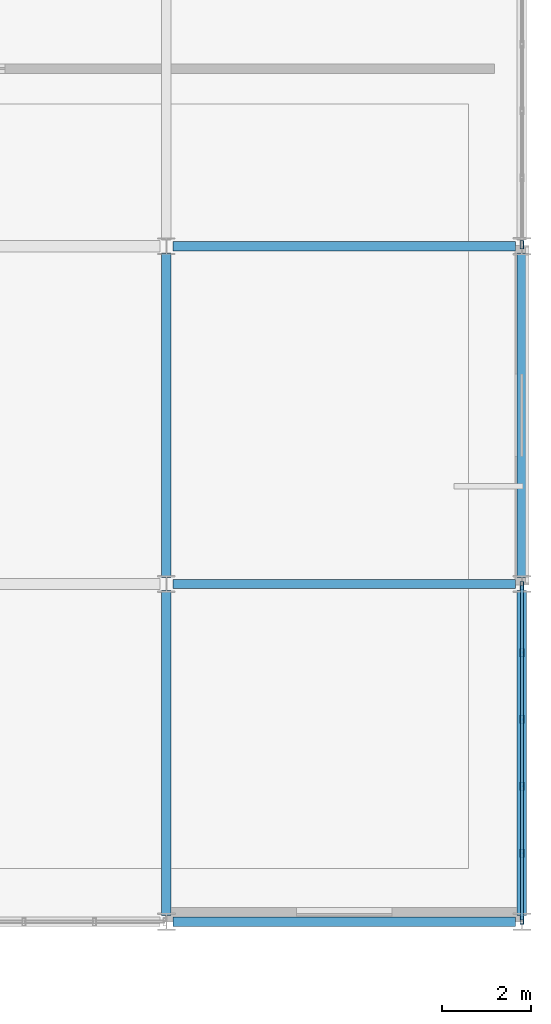
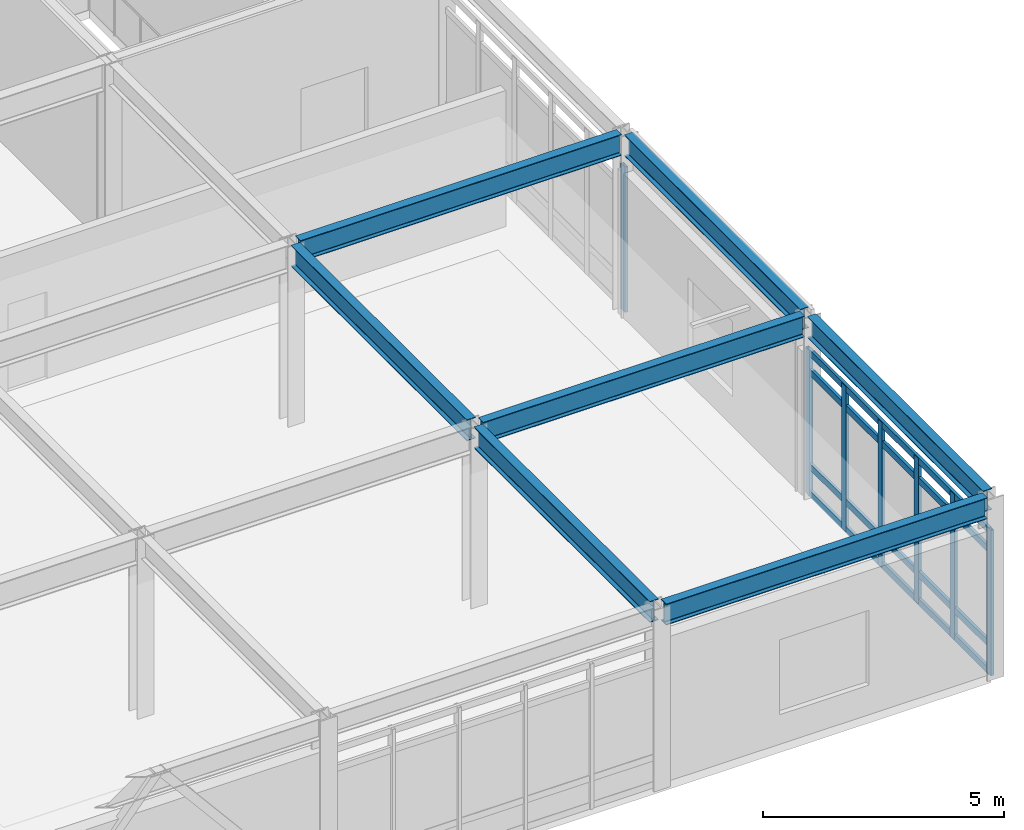
# One storey, part 66 of 104: 11 members, 7 beams, 2 elements without a shape of their own.
"""IFC4 building model written with IfcOpenShell, lengths in metres."""

from ifc_helpers import new_model, si_unit, direction, frame, origin, origin_2d, place, context, subcontext, project, spatial, hollow_rectangle, i_section, extrude, material, material_profile, profile_set, type_object, element, aggregate, save


model = new_model("IFC4")

# Units and contexts
model_context = context("Model", 3, precision=1e-05, world=origin(), true_north=direction((0.0, 1.0)))
body_context = subcontext(model_context, "Body", "Model", "MODEL_VIEW")
ifc_project = project(units=[si_unit("LENGTHUNIT", "METRE"), si_unit("AREAUNIT", "SQUARE_METRE"), si_unit("VOLUMEUNIT", "CUBIC_METRE"), si_unit("PLANEANGLEUNIT", "RADIAN"), si_unit("MASSUNIT", "GRAM", prefix="KILO")], contexts=[model_context])

# Site, building, storey
site_placement = place(None, origin())
site = spatial("IfcSite", under=ifc_project, at=site_placement, CompositionType="ELEMENT")
building_placement = place(site_placement, origin())
building = spatial("IfcBuilding", under=site, at=building_placement, Name="Zulena Civic Courthouse", CompositionType="ELEMENT")
storey_placement = place(building_placement, frame((0.0, 0.0, 15.60009765625)))
storey = spatial("IfcBuildingStorey", under=building, at=storey_placement, Name="L03", CompositionType="ELEMENT", Elevation=15.60009765625)

# Curtain wall, member
ifc_material_1 = material(Name="Double-silver low-E laminated solar-control glass", Category="glass")
curtain_wall_type = type_object("IfcCurtainWallType", Name="CW_7528x3690", PredefinedType="USERDEFINED", material=ifc_material_1)
curtain_wall_1_placement = place(storey_placement, origin())
curtain_wall_1 = element("IfcCurtainWall", 1, at=curtain_wall_1_placement, inside=storey, type_object=curtain_wall_type, Name="cw:V1:L03:2:1", ObjectType="UNITISED CURTAIN WALL", PredefinedType="USERDEFINED")
ifc_material_2 = material(Name="Bronze anodised thermally broken aluminium AA6063-T6", Category="aluminium")
ifc_material_profile_1 = material_profile(ifc_material_2, hollow_rectangle(XDim=0.074951171875, YDim=0.179931640625, WallThickness=0.0048828125, at=origin_2d()), Name="CWM180X75X5")
ifc_profile_set_1 = profile_set([ifc_material_profile_1], Name="Bronze anodised thermally broken aluminium AA6063-T6")
member_type_1 = type_object("IfcMemberType", Name="CWMullion_180x75", PredefinedType="MULLION", material=ifc_profile_set_1)
member_1_placement = place(storey_placement, frame((172.0, 15.236083984375, 0.0), z_axis=(0.0, 0.0, 1.0), x_axis=(1.0, 0.0, 0.0)))
member_1 = element("IfcMember", 2, at=member_1_placement, type_object=member_type_1, Name="cw:V1:L03:2:1:mull:5", PredefinedType="MULLION", context=body_context, shape_type="SweptSolid", body=[
    extrude(hollow_rectangle(XDim=0.074951171875, YDim=0.179931640625, WallThickness=0.0048828125, at=origin_2d()), origin(), (0.0, 0.0, 1.0), 3.68994140625),
])
aggregate(curtain_wall_1, [member_1])

# Curtain wall, members
curtain_wall_2_placement = place(storey_placement, origin())
curtain_wall_2 = element("IfcCurtainWall", 3, at=curtain_wall_2_placement, inside=storey, type_object=curtain_wall_type, Name="cw:V1:L03:2:3", ObjectType="UNITISED CURTAIN WALL", PredefinedType="USERDEFINED")
member_2_placement = place(storey_placement, frame((172.0, 7.56396484375, 0.0), z_axis=(0.0, 0.0, 1.0), x_axis=(1.0, 0.0, 0.0)))
member_2 = element("IfcMember", 4, at=member_2_placement, type_object=member_type_1, Name="cw:V1:L03:2:3:mull:0", PredefinedType="MULLION", context=body_context, shape_type="SweptSolid", body=[
    extrude(hollow_rectangle(XDim=0.074951171875, YDim=0.179931640625, WallThickness=0.0048828125, at=origin_2d()), origin(), (0.0, 0.0, 1.0), 3.68994140625),
])
member_3_placement = place(storey_placement, frame((172.0, 6.058349609375, 0.0), z_axis=(0.0, 0.0, 1.0), x_axis=(1.0, 0.0, 0.0)))
member_3 = element("IfcMember", 5, at=member_3_placement, type_object=member_type_1, Name="cw:V1:L03:2:3:mull:1", PredefinedType="MULLION", context=body_context, shape_type="SweptSolid", body=[
    extrude(hollow_rectangle(XDim=0.074951171875, YDim=0.179931640625, WallThickness=0.0048828125, at=origin_2d()), origin(), (0.0, 0.0, 1.0), 3.68994140625),
])
member_4_placement = place(storey_placement, frame((172.0, 4.552734375, 0.0), z_axis=(0.0, 0.0, 1.0), x_axis=(1.0, 0.0, 0.0)))
member_4 = element("IfcMember", 6, at=member_4_placement, type_object=member_type_1, Name="cw:V1:L03:2:3:mull:2", PredefinedType="MULLION", context=body_context, shape_type="SweptSolid", body=[
    extrude(hollow_rectangle(XDim=0.074951171875, YDim=0.179931640625, WallThickness=0.0048828125, at=origin_2d()), origin(), (0.0, 0.0, 1.0), 3.68994140625),
])
member_5_placement = place(storey_placement, frame((172.0, 3.047119140625, 0.0), z_axis=(0.0, 0.0, 1.0), x_axis=(1.0, 0.0, 0.0)))
member_5 = element("IfcMember", 7, at=member_5_placement, type_object=member_type_1, Name="cw:V1:L03:2:3:mull:3", PredefinedType="MULLION", context=body_context, shape_type="SweptSolid", body=[
    extrude(hollow_rectangle(XDim=0.074951171875, YDim=0.179931640625, WallThickness=0.0048828125, at=origin_2d()), origin(), (0.0, 0.0, 1.0), 3.68994140625),
])
member_6_placement = place(storey_placement, frame((172.0, 1.54150390625, 0.0), z_axis=(0.0, 0.0, 1.0), x_axis=(1.0, 0.0, 0.0)))
member_6 = element("IfcMember", 8, at=member_6_placement, type_object=member_type_1, Name="cw:V1:L03:2:3:mull:4", PredefinedType="MULLION", context=body_context, shape_type="SweptSolid", body=[
    extrude(hollow_rectangle(XDim=0.074951171875, YDim=0.179931640625, WallThickness=0.0048828125, at=origin_2d()), origin(), (0.0, 0.0, 1.0), 3.68994140625),
])
member_7_placement = place(storey_placement, frame((172.0, 0.035888671875, 0.0), z_axis=(0.0, 0.0, 1.0), x_axis=(1.0, 0.0, 0.0)))
member_7 = element("IfcMember", 9, at=member_7_placement, type_object=member_type_1, Name="cw:V1:L03:2:3:mull:5", PredefinedType="MULLION", context=body_context, shape_type="SweptSolid", body=[
    extrude(hollow_rectangle(XDim=0.074951171875, YDim=0.179931640625, WallThickness=0.0048828125, at=origin_2d()), origin(), (0.0, 0.0, 1.0), 3.68994140625),
])
ifc_material_profile_2 = material_profile(ifc_material_2, hollow_rectangle(XDim=0.070068359375, YDim=0.1650390625, WallThickness=0.00390625, at=origin_2d()), Name="CWT165X70X4")
ifc_profile_set_2 = profile_set([ifc_material_profile_2], Name="Bronze anodised thermally broken aluminium AA6063-T6")
member_type_2 = type_object("IfcMemberType", Name="CWTransom_165x70", PredefinedType="USERDEFINED", material=ifc_profile_set_2)
member_8_placement = place(storey_placement, frame((172.0, 7.56396484375, 0.059814453125), z_axis=(0.0, -1.0, 0.0), x_axis=(1.0, 0.0, 0.0)))
member_8 = element("IfcMember", 10, at=member_8_placement, type_object=member_type_2, Name="cw:V1:L03:2:3:tran:0", ObjectType="TRANSOM", PredefinedType="USERDEFINED", context=body_context, shape_type="SweptSolid", body=[
    extrude(hollow_rectangle(XDim=0.070068359375, YDim=0.1650390625, WallThickness=0.00390625, at=origin_2d()), origin(), (0.0, 0.0, 1.0), 7.528076171875),
])
member_9_placement = place(storey_placement, frame((172.0, 7.56396484375, 0.75), z_axis=(0.0, -1.0, 0.0), x_axis=(1.0, 0.0, 0.0)))
member_9 = element("IfcMember", 11, at=member_9_placement, type_object=member_type_2, Name="cw:V1:L03:2:3:tran:1", ObjectType="TRANSOM", PredefinedType="USERDEFINED", context=body_context, shape_type="SweptSolid", body=[
    extrude(hollow_rectangle(XDim=0.070068359375, YDim=0.1650390625, WallThickness=0.00390625, at=origin_2d()), origin(), (0.0, 0.0, 1.0), 7.528076171875),
])
member_10_placement = place(storey_placement, frame((172.0, 7.56396484375, 3.139892578125), z_axis=(0.0, -1.0, 0.0), x_axis=(1.0, 0.0, 0.0)))
member_10 = element("IfcMember", 12, at=member_10_placement, type_object=member_type_2, Name="cw:V1:L03:2:3:tran:2", ObjectType="TRANSOM", PredefinedType="USERDEFINED", context=body_context, shape_type="SweptSolid", body=[
    extrude(hollow_rectangle(XDim=0.070068359375, YDim=0.1650390625, WallThickness=0.00390625, at=origin_2d()), origin(), (0.0, 0.0, 1.0), 7.528076171875),
])
member_11_placement = place(storey_placement, frame((172.0, 7.56396484375, 3.6298828125), z_axis=(0.0, -1.0, 0.0), x_axis=(1.0, 0.0, 0.0)))
member_11 = element("IfcMember", 13, at=member_11_placement, type_object=member_type_2, Name="cw:V1:L03:2:3:tran:3", ObjectType="TRANSOM", PredefinedType="USERDEFINED", context=body_context, shape_type="SweptSolid", body=[
    extrude(hollow_rectangle(XDim=0.070068359375, YDim=0.1650390625, WallThickness=0.00390625, at=origin_2d()), origin(), (0.0, 0.0, 1.0), 7.528076171875),
])
aggregate(curtain_wall_2, [member_2, member_3, member_4, member_5, member_6, member_7, member_8, member_9, member_10, member_11])

# Beams
ifc_material_3 = material(Name="Steel ASTM A992 Grade 50", Category="steel")
ifc_material_profile_3 = material_profile(ifc_material_3, i_section(OverallWidth=0.2099609375, OverallDepth=0.537109375, WebThickness=0.010986328125, FlangeThickness=0.017333984375, FilletRadius=0.0126953125, at=origin_2d()), Name="W21X68")
ifc_profile_set_3 = profile_set([ifc_material_profile_3], Name="Steel ASTM A992 Grade 50")
beam_type_1 = type_object("IfcBeamType", Name="Girder_W21X68", PredefinedType="BEAM", material=ifc_profile_set_3)
beam_1_placement = place(storey_placement, frame((164.0, 7.7451171875, 4.326416015625), z_axis=(0.0, 1.0, 0.0), x_axis=(-1.0, 0.0, 0.0)))
element("IfcBeam", 14, at=beam_1_placement, inside=storey, type_object=beam_type_1, Name="beam:Y:V1:L03:164.0:7.6_15.2", PredefinedType="BEAM", context=body_context, shape_type="SweptSolid", body=[
    extrude(i_section(OverallWidth=0.2099609375, OverallDepth=0.537109375, WebThickness=0.010986328125, FlangeThickness=0.017333984375, FilletRadius=0.0126953125, at=origin_2d()), origin(), (0.0, 0.0, 1.0), 7.309814453125),
])
ifc_material_profile_4 = material_profile(ifc_material_3, i_section(OverallWidth=0.2099609375, OverallDepth=0.537109375, WebThickness=0.010986328125, FlangeThickness=0.017333984375, FilletRadius=0.0126953125, at=origin_2d()), Name="W21X68")
ifc_profile_set_4 = profile_set([ifc_material_profile_4], Name="Steel ASTM A992 Grade 50")
beam_type_2 = type_object("IfcBeamType", Name="Spandrel_W21X68", PredefinedType="SPANDREL", material=ifc_profile_set_4)
for number, where, z_axis, x_axis, name in (
    (15, (164.14501953125, 0.0, 4.326416015625), (1.0, 0.0, 0.0), (0.0, 1.0, 0.0), "beam:X:V1:L03:0.0:164.0_172.0"),
    (16, (164.14501953125, 7.60009765625, 4.326416015625), (1.0, 0.0, 0.0), (0.0, 1.0, 0.0), "beam:X:V1:L03:7.6:164.0_172.0"),
    (17, (164.14501953125, 15.199951171875, 4.326416015625), (1.0, 0.0, 0.0), (0.0, 1.0, 0.0), "beam:X:V1:L03:15.2:164.0_172.0"),
):
    element("IfcBeam", number, at=place(storey_placement, frame(where, z_axis=z_axis, x_axis=x_axis)), inside=storey, type_object=beam_type_2, Name=name, PredefinedType="SPANDREL", context=body_context, shape_type="SweptSolid", body=[
        extrude(i_section(OverallWidth=0.2099609375, OverallDepth=0.537109375, WebThickness=0.010986328125, FlangeThickness=0.017333984375, FilletRadius=0.0126953125, at=origin_2d()), origin(), (0.0, 0.0, 1.0), 7.7099609375),
    ])
for number, where, z_axis, x_axis, name in (
    (18, (164.0, 0.14501953125, 4.326416015625), (0.0, 1.0, 0.0), (-1.0, 0.0, 0.0), "beam:Y:V1:L03:164.0:0.0_7.6"),
    (19, (172.0, 0.14501953125, 4.326416015625), (0.0, 1.0, 0.0), (-1.0, 0.0, 0.0), "beam:Y:V1:L03:172.0:0.0_7.6"),
):
    element("IfcBeam", number, at=place(storey_placement, frame(where, z_axis=z_axis, x_axis=x_axis)), inside=storey, type_object=beam_type_2, Name=name, PredefinedType="SPANDREL", context=body_context, shape_type="SweptSolid", body=[
        extrude(i_section(OverallWidth=0.2099609375, OverallDepth=0.537109375, WebThickness=0.010986328125, FlangeThickness=0.017333984375, FilletRadius=0.0126953125, at=origin_2d()), origin(), (0.0, 0.0, 1.0), 7.31005859375),
    ])
beam_2_placement = place(storey_placement, frame((172.0, 7.7451171875, 4.326416015625), z_axis=(0.0, 1.0, 0.0), x_axis=(-1.0, 0.0, 0.0)))
element("IfcBeam", 20, at=beam_2_placement, inside=storey, type_object=beam_type_2, Name="beam:Y:V1:L03:172.0:7.6_15.2", PredefinedType="SPANDREL", context=body_context, shape_type="SweptSolid", body=[
    extrude(i_section(OverallWidth=0.2099609375, OverallDepth=0.537109375, WebThickness=0.010986328125, FlangeThickness=0.017333984375, FilletRadius=0.0126953125, at=origin_2d()), origin(), (0.0, 0.0, 1.0), 7.309814453125),
])

save(model, "model.ifc")
